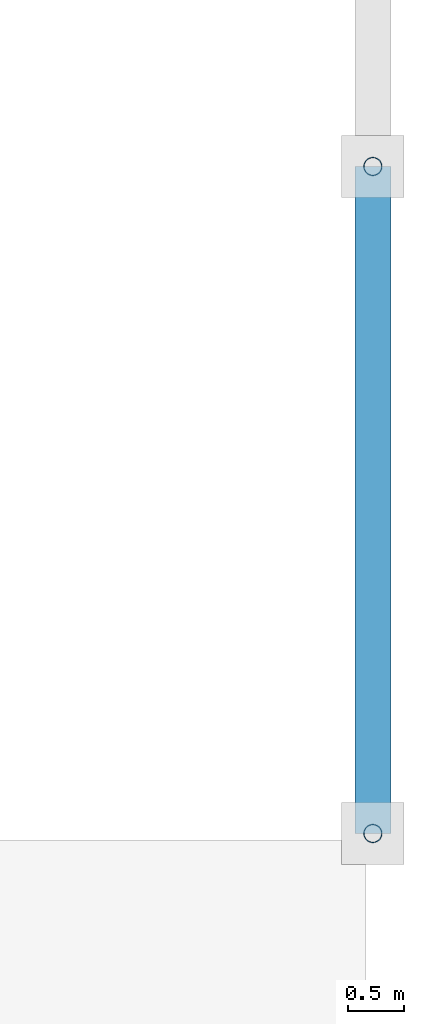
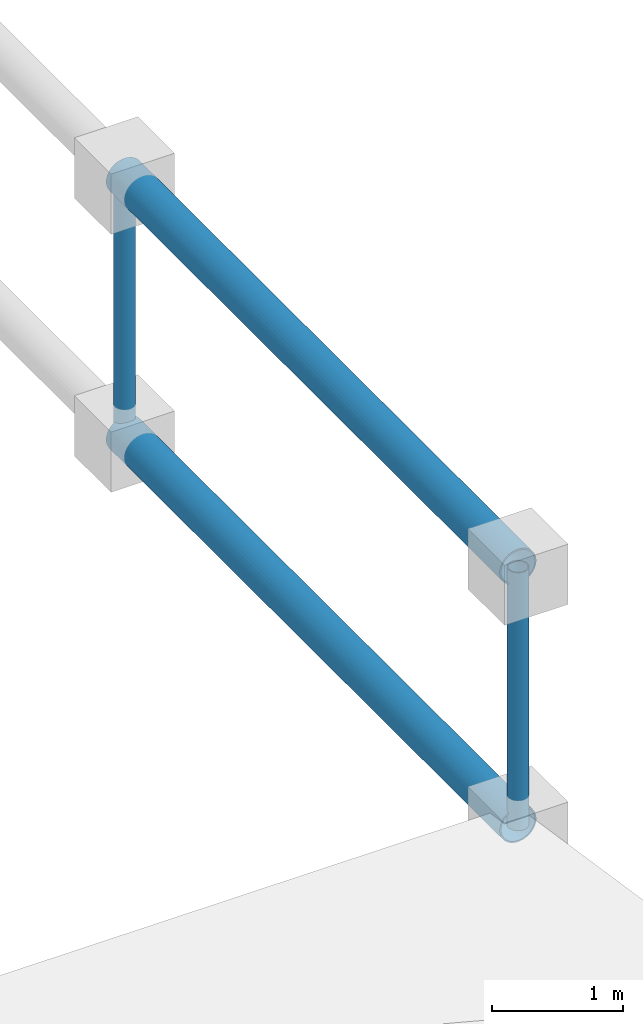
# One storey, part 89 of 148: 4 members.
"""IFC4 building model written with IfcOpenShell, lengths in metres."""

from ifc_helpers import new_model, si_unit, direction, frame, origin, origin_2d, place, context, subcontext, project, spatial, hollow_circle, extrude, material, material_profile, profile_set, type_object, element, save


model = new_model("IFC4")

# Units and contexts
model_context = context("Model", 3, precision=1e-05, world=origin(), true_north=direction((0.0, 1.0)))
body_context = subcontext(model_context, "Body", "Model", "MODEL_VIEW")
ifc_project = project(units=[si_unit("LENGTHUNIT", "METRE"), si_unit("AREAUNIT", "SQUARE_METRE"), si_unit("VOLUMEUNIT", "CUBIC_METRE"), si_unit("PLANEANGLEUNIT", "RADIAN"), si_unit("MASSUNIT", "GRAM", prefix="KILO")], contexts=[model_context])

# Site, building, storey
site_placement = place(None, origin())
site = spatial("IfcSite", under=ifc_project, at=site_placement, CompositionType="ELEMENT")
building_placement = place(site_placement, origin())
building = spatial("IfcBuilding", under=site, at=building_placement, Name="Trelvath General Hospital", CompositionType="ELEMENT")
storey_placement = place(building_placement, frame((0.0, 0.0, 12.89990234375)))
storey = spatial("IfcBuildingStorey", under=building, at=storey_placement, Name="L03", CompositionType="ELEMENT", Elevation=12.89990234375)

# Members
ifc_material_1 = material(Name="Steel S355", Category="steel")
ifc_material_profile_1 = material_profile(ifc_material_1, hollow_circle(Radius=0.084228515625, WallThickness=0.008056640625, at=origin_2d()), Name="CHS168.3x8.0")
ifc_profile_set_1 = profile_set([ifc_material_profile_1], Name="Steel S355")
member_type_1 = type_object("IfcMemberType", Name="SpaceFrameDiagStd CHS168", PredefinedType="BRACE", material=ifc_profile_set_1)
for number, where, z_axis, x_axis, name in (
    (1, (176.39990234375, 25.199951171875, 0.0), (0.0, 0.0, 1.0), (1.0, 0.0, 0.0), "Space Frame Web Post 7-1"),
    (2, (176.39990234375, 31.199951171875, 0.0), (0.0, 0.0, 1.0), (1.0, 0.0, 0.0), "Space Frame Web Post 7-2"),
):
    element("IfcMember", number, at=place(storey_placement, frame(where, z_axis=z_axis, x_axis=x_axis)), inside=storey, type_object=member_type_1, Name=name, PredefinedType="BRACE", context=body_context, shape_type="SweptSolid", body=[
        extrude(hollow_circle(Radius=0.084228515625, WallThickness=0.008056640625, at=origin_2d()), origin(), (0.0, 0.0, 1.0), 2.400146484375),
    ])
ifc_material_2 = material(Name="Steel S355", Category="steel")
ifc_material_profile_2 = material_profile(ifc_material_2, hollow_circle(Radius=0.161865234375, WallThickness=0.012451171875, at=origin_2d()), Name="CHS323.9x12.5")
ifc_profile_set_2 = profile_set([ifc_material_profile_2], Name="Steel S355")
member_type_2 = type_object("IfcMemberType", Name="SpaceFrameEdgeChord CHS323", PredefinedType="CHORD", material=ifc_profile_set_2)
for number, where, z_axis, x_axis, name in (
    (3, (176.39990234375, 25.199951171875, 0.0), (0.0, 1.0, 0.0), (-1.0, 0.0, 0.0), "Space Frame Bottom Chord Y 7-1"),
    (4, (176.39990234375, 25.199951171875, 2.400146484375), (0.0, 1.0, 0.0), (-1.0, 0.0, 0.0), "Space Frame Top Chord Y 7-1"),
):
    element("IfcMember", number, at=place(storey_placement, frame(where, z_axis=z_axis, x_axis=x_axis)), inside=storey, type_object=member_type_2, Name=name, PredefinedType="CHORD", context=body_context, shape_type="SweptSolid", body=[
        extrude(hollow_circle(Radius=0.161865234375, WallThickness=0.012451171875, at=origin_2d()), origin(), (0.0, 0.0, 1.0), 6.0),
    ])

save(model, "model.ifc")
